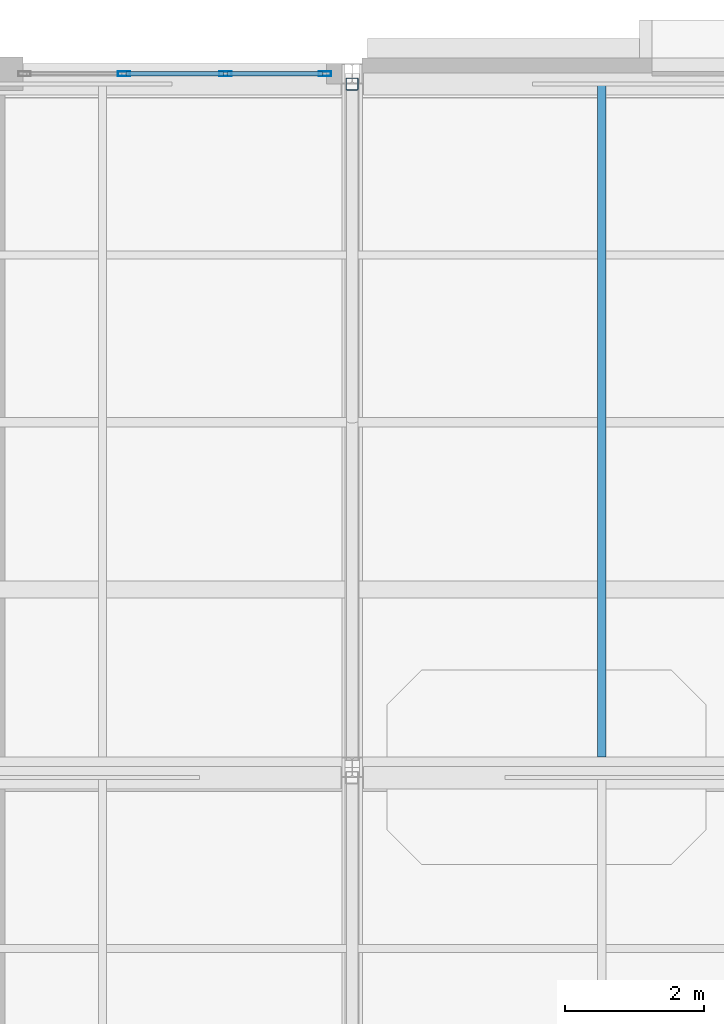
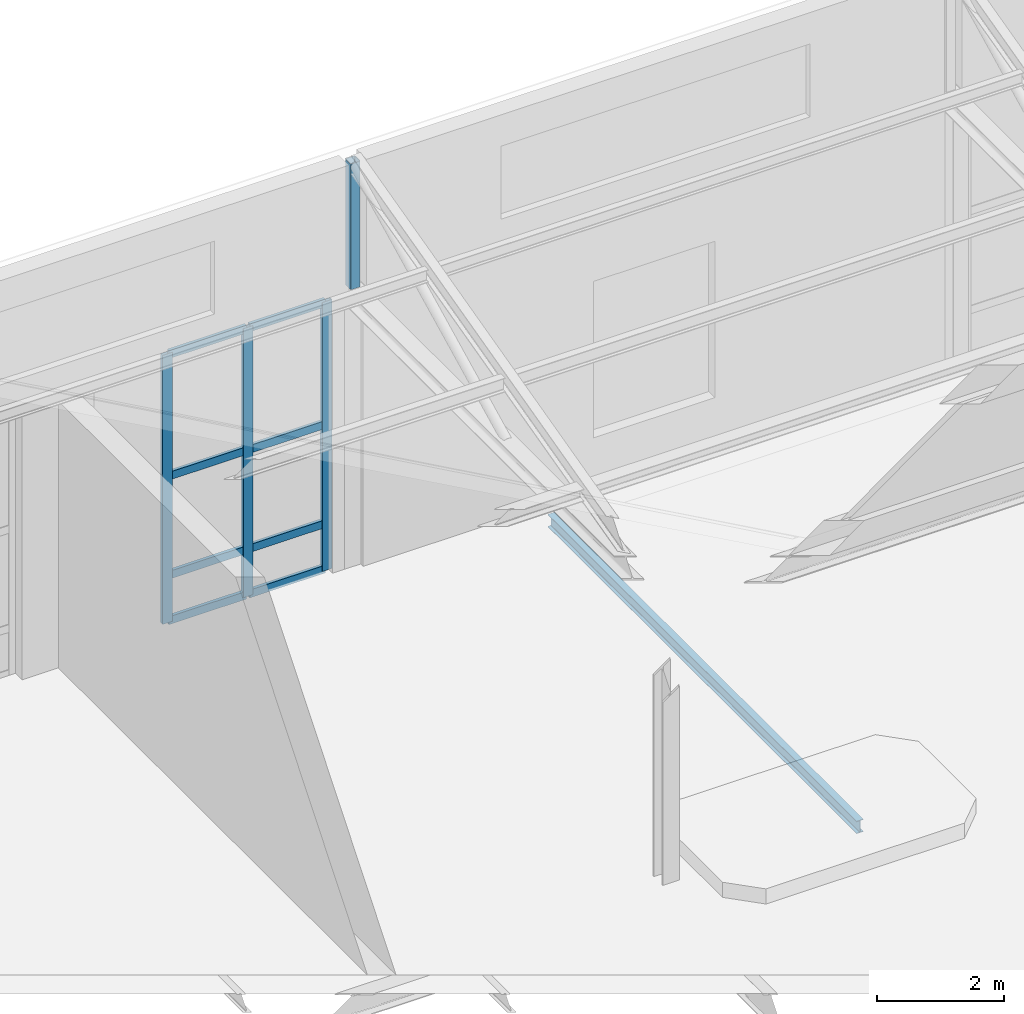
# One storey, part 22 of 49: 12 members, 1 beam, 1 element without a shape of its own.
"""IFC4 building model written with IfcOpenShell, lengths in metres."""

from ifc_helpers import new_model, si_unit, direction, frame, origin, origin_2d, place, context, subcontext, project, spatial, hollow_rectangle, i_section, extrude, material, layer, layer_set, material_profile, profile_set, type_object, element, aggregate, save


model = new_model("IFC4")

# Units and contexts
model_context = context("Model", 3, precision=1e-05, world=origin(), true_north=direction((0.0, 1.0)))
body_context = subcontext(model_context, "Body", "Model", "MODEL_VIEW")
ifc_project = project(units=[si_unit("LENGTHUNIT", "METRE"), si_unit("AREAUNIT", "SQUARE_METRE"), si_unit("VOLUMEUNIT", "CUBIC_METRE"), si_unit("PLANEANGLEUNIT", "RADIAN"), si_unit("MASSUNIT", "GRAM", prefix="KILO")], contexts=[model_context])

# Site, building, storey
site_placement = place(None, origin())
site = spatial("IfcSite", under=ifc_project, at=site_placement, CompositionType="ELEMENT")
building_placement = place(site_placement, origin())
building = spatial("IfcBuilding", under=site, at=building_placement, Name="Tasgan Crest Museum", CompositionType="ELEMENT")
storey_placement = place(building_placement, frame((0.0, 0.0, 28.800048828125)))
storey = spatial("IfcBuildingStorey", under=building, at=storey_placement, Name="L05", CompositionType="ELEMENT", Elevation=28.800048828125)

# Beam
ifc_material_1 = material(Name="Steel S355J2", Category="steel")
ifc_material_profile_1 = material_profile(ifc_material_1, i_section(OverallWidth=0.1201171875, OverallDepth=0.239990234375, WebThickness=0.006103515625, FlangeThickness=0.009765625, FilletRadius=0.014892578125, at=origin_2d()), Name="IPE 240")
ifc_profile_set_1 = profile_set([ifc_material_profile_1], Name="Steel S355J2")
beam_type = type_object("IfcBeamType", Name="BM-J-IPE240", PredefinedType="JOIST", material=ifc_profile_set_1)
beam_placement = place(storey_placement, frame((46.800048828125, 102.14501953125, -0.360107421875), z_axis=(0.0, 1.0, 0.0), x_axis=(-1.0, 0.0, 0.0)))
element("IfcBeam", 1, at=beam_placement, inside=storey, type_object=beam_type, Name="Secondary joist L05 X=46.8 Y=102.0-112.0", PredefinedType="JOIST", context=body_context, shape_type="SweptSolid", body=[
    extrude(i_section(OverallWidth=0.1201171875, OverallDepth=0.239990234375, WebThickness=0.006103515625, FlangeThickness=0.009765625, FilletRadius=0.014892578125, at=origin_2d()), origin(), (0.0, 0.0, 1.0), 9.7099609375),
])

# Curtain wall, members
ifc_material_2 = material(Name="Triple-Glazed Aluminium Curtain Wall", Category="aluminium")
ifc_layer = layer(ifc_material_2, 0.179931640625, Name="CW-GAL-X-54")
ifc_layer_set = layer_set([ifc_layer], Name="Triple-Glazed Aluminium Curtain Wall")
curtain_wall_type = type_object("IfcCurtainWallType", Name="CW-GAL-X-54", PredefinedType="NOTDEFINED", material=ifc_layer_set)
curtain_wall_placement = place(storey_placement, origin())
curtain_wall = element("IfcCurtainWall", 2, at=curtain_wall_placement, inside=storey, type_object=curtain_wall_type, Name="Curtain wall L05 205", PredefinedType="NOTDEFINED")
ifc_material_3 = material(Name="Anodised Aluminium", Category="aluminium")
ifc_material_profile_2 = material_profile(ifc_material_3, hollow_rectangle(XDim=0.06494140625, YDim=0.179931640625, WallThickness=0.0048828125, at=origin_2d()), Name="ALU MULLION 180x65x5")
ifc_profile_set_2 = profile_set([ifc_material_profile_2], Name="Anodised Aluminium")
member_type_1 = type_object("IfcMemberType", Name="CW-MULLION-180", PredefinedType="MULLION", material=ifc_profile_set_2)
member_1_placement = place(storey_placement, frame((42.804931640625, 112.0, 0.0), z_axis=(0.0, 0.0, 1.0), x_axis=(0.0, -1.0, 0.0)))
member_1 = element("IfcMember", 3, at=member_1_placement, type_object=member_type_1, Name="CW15 mullion 1", PredefinedType="MULLION", context=body_context, shape_type="SweptSolid", body=[
    extrude(hollow_rectangle(XDim=0.06494140625, YDim=0.179931640625, WallThickness=0.0048828125, at=origin_2d()), origin(), (0.0, 0.0, 1.0), 5.159912109375),
])
member_2_placement = place(storey_placement, frame((41.37158203125, 112.0, 0.0), z_axis=(0.0, 0.0, 1.0), x_axis=(0.0, -1.0, 0.0)))
member_2 = element("IfcMember", 4, at=member_2_placement, type_object=member_type_1, Name="CW15 mullion 2", PredefinedType="MULLION", context=body_context, shape_type="SweptSolid", body=[
    extrude(hollow_rectangle(XDim=0.06494140625, YDim=0.179931640625, WallThickness=0.0048828125, at=origin_2d()), origin(), (0.0, 0.0, 1.0), 5.159912109375),
])
member_3_placement = place(storey_placement, frame((39.908447265625, 112.0, 0.0), z_axis=(0.0, 0.0, 1.0), x_axis=(0.0, -1.0, 0.0)))
member_3 = element("IfcMember", 5, at=member_3_placement, type_object=member_type_1, Name="CW15 mullion 3", PredefinedType="MULLION", context=body_context, shape_type="SweptSolid", body=[
    extrude(hollow_rectangle(XDim=0.06494140625, YDim=0.179931640625, WallThickness=0.0048828125, at=origin_2d()), origin(), (0.0, 0.0, 1.0), 5.159912109375),
])
ifc_material_4 = material(Name="Anodised Aluminium", Category="aluminium")
ifc_material_profile_3 = material_profile(ifc_material_4, hollow_rectangle(XDim=0.06005859375, YDim=0.14990234375, WallThickness=0.0048828125, at=origin_2d()), Name="ALU TRANSOM 150x60x5")
ifc_profile_set_3 = profile_set([ifc_material_profile_3], Name="Anodised Aluminium")
member_type_2 = type_object("IfcMemberType", Name="CW-TRANSOM-150", PredefinedType="USERDEFINED", material=ifc_profile_set_3)
member_4_placement = place(storey_placement, frame((42.77490234375, 112.0, 0.030029296875), z_axis=(-1.0, 0.0, 0.0), x_axis=(0.0, -1.0, 0.0)))
member_4 = element("IfcMember", 6, at=member_4_placement, type_object=member_type_2, Name="CW15 transom 1.1", ObjectType="TRANSOM", PredefinedType="USERDEFINED", context=body_context, shape_type="SweptSolid", body=[
    extrude(hollow_rectangle(XDim=0.06005859375, YDim=0.14990234375, WallThickness=0.0048828125, at=origin_2d()), origin(), (0.0, 0.0, 1.0), 1.373291015625),
])
member_5_placement = place(storey_placement, frame((42.77490234375, 112.0, 0.89990234375), z_axis=(-1.0, 0.0, 0.0), x_axis=(0.0, -1.0, 0.0)))
member_5 = element("IfcMember", 7, at=member_5_placement, type_object=member_type_2, Name="CW15 transom 1.2", ObjectType="TRANSOM", PredefinedType="USERDEFINED", context=body_context, shape_type="SweptSolid", body=[
    extrude(hollow_rectangle(XDim=0.06005859375, YDim=0.14990234375, WallThickness=0.0048828125, at=origin_2d()), origin(), (0.0, 0.0, 1.0), 1.373291015625),
])
member_6_placement = place(storey_placement, frame((42.77490234375, 112.0, 2.800048828125), z_axis=(-1.0, 0.0, 0.0), x_axis=(0.0, -1.0, 0.0)))
member_6 = element("IfcMember", 8, at=member_6_placement, type_object=member_type_2, Name="CW15 transom 1.3", ObjectType="TRANSOM", PredefinedType="USERDEFINED", context=body_context, shape_type="SweptSolid", body=[
    extrude(hollow_rectangle(XDim=0.06005859375, YDim=0.14990234375, WallThickness=0.0048828125, at=origin_2d()), origin(), (0.0, 0.0, 1.0), 1.373291015625),
])
member_7_placement = place(storey_placement, frame((42.77490234375, 112.0, 5.1298828125), z_axis=(-1.0, 0.0, 0.0), x_axis=(0.0, -1.0, 0.0)))
member_7 = element("IfcMember", 9, at=member_7_placement, type_object=member_type_2, Name="CW15 transom 1.4", ObjectType="TRANSOM", PredefinedType="USERDEFINED", context=body_context, shape_type="SweptSolid", body=[
    extrude(hollow_rectangle(XDim=0.06005859375, YDim=0.14990234375, WallThickness=0.0048828125, at=origin_2d()), origin(), (0.0, 0.0, 1.0), 1.373291015625),
])
member_8_placement = place(storey_placement, frame((41.341552734375, 112.0, 0.030029296875), z_axis=(-1.0, 0.0, 0.0), x_axis=(0.0, -1.0, 0.0)))
member_8 = element("IfcMember", 10, at=member_8_placement, type_object=member_type_2, Name="CW15 transom 2.1", ObjectType="TRANSOM", PredefinedType="USERDEFINED", context=body_context, shape_type="SweptSolid", body=[
    extrude(hollow_rectangle(XDim=0.06005859375, YDim=0.14990234375, WallThickness=0.0048828125, at=origin_2d()), origin(), (0.0, 0.0, 1.0), 1.4033203125),
])
member_9_placement = place(storey_placement, frame((41.341552734375, 112.0, 0.89990234375), z_axis=(-1.0, 0.0, 0.0), x_axis=(0.0, -1.0, 0.0)))
member_9 = element("IfcMember", 11, at=member_9_placement, type_object=member_type_2, Name="CW15 transom 2.2", ObjectType="TRANSOM", PredefinedType="USERDEFINED", context=body_context, shape_type="SweptSolid", body=[
    extrude(hollow_rectangle(XDim=0.06005859375, YDim=0.14990234375, WallThickness=0.0048828125, at=origin_2d()), origin(), (0.0, 0.0, 1.0), 1.4033203125),
])
member_10_placement = place(storey_placement, frame((41.341552734375, 112.0, 2.800048828125), z_axis=(-1.0, 0.0, 0.0), x_axis=(0.0, -1.0, 0.0)))
member_10 = element("IfcMember", 12, at=member_10_placement, type_object=member_type_2, Name="CW15 transom 2.3", ObjectType="TRANSOM", PredefinedType="USERDEFINED", context=body_context, shape_type="SweptSolid", body=[
    extrude(hollow_rectangle(XDim=0.06005859375, YDim=0.14990234375, WallThickness=0.0048828125, at=origin_2d()), origin(), (0.0, 0.0, 1.0), 1.4033203125),
])
member_11_placement = place(storey_placement, frame((41.341552734375, 112.0, 5.1298828125), z_axis=(-1.0, 0.0, 0.0), x_axis=(0.0, -1.0, 0.0)))
member_11 = element("IfcMember", 13, at=member_11_placement, type_object=member_type_2, Name="CW15 transom 2.4", ObjectType="TRANSOM", PredefinedType="USERDEFINED", context=body_context, shape_type="SweptSolid", body=[
    extrude(hollow_rectangle(XDim=0.06005859375, YDim=0.14990234375, WallThickness=0.0048828125, at=origin_2d()), origin(), (0.0, 0.0, 1.0), 1.4033203125),
])
aggregate(curtain_wall, [member_1, member_2, member_3, member_4, member_5, member_6, member_7, member_8, member_9, member_10, member_11])

# Member
ifc_material_5 = material(Name="Steel S355K2", Category="steel")
ifc_material_profile_4 = material_profile(ifc_material_5, hollow_rectangle(XDim=0.179931640625, YDim=0.179931640625, WallThickness=0.010009765625, InnerFilletRadius=0.010009765625, OuterFilletRadius=0.02001953125, at=origin_2d()), Name="SHS 180x180x10")
ifc_profile_set_4 = profile_set([ifc_material_profile_4], Name="Steel S355K2")
member_type_3 = type_object("IfcMemberType", Name="TR-SAW-POST", PredefinedType="POST", material=ifc_profile_set_4)
member_12_placement = place(storey_placement, frame((43.199951171875, 111.85009765625, 5.389892578125), z_axis=(0.0, 0.0, 1.0), x_axis=(1.0, 0.0, 0.0)))
element("IfcMember", 14, at=member_12_placement, inside=storey, type_object=member_type_3, Name="Roof truss north post B3 5", PredefinedType="POST", context=body_context, shape_type="SweptSolid", body=[
    extrude(hollow_rectangle(XDim=0.179931640625, YDim=0.179931640625, WallThickness=0.010009765625, InnerFilletRadius=0.010009765625, OuterFilletRadius=0.02001953125, at=origin_2d()), origin(), (0.0, 0.0, 1.0), 2.41015625),
])

save(model, "model.ifc")
